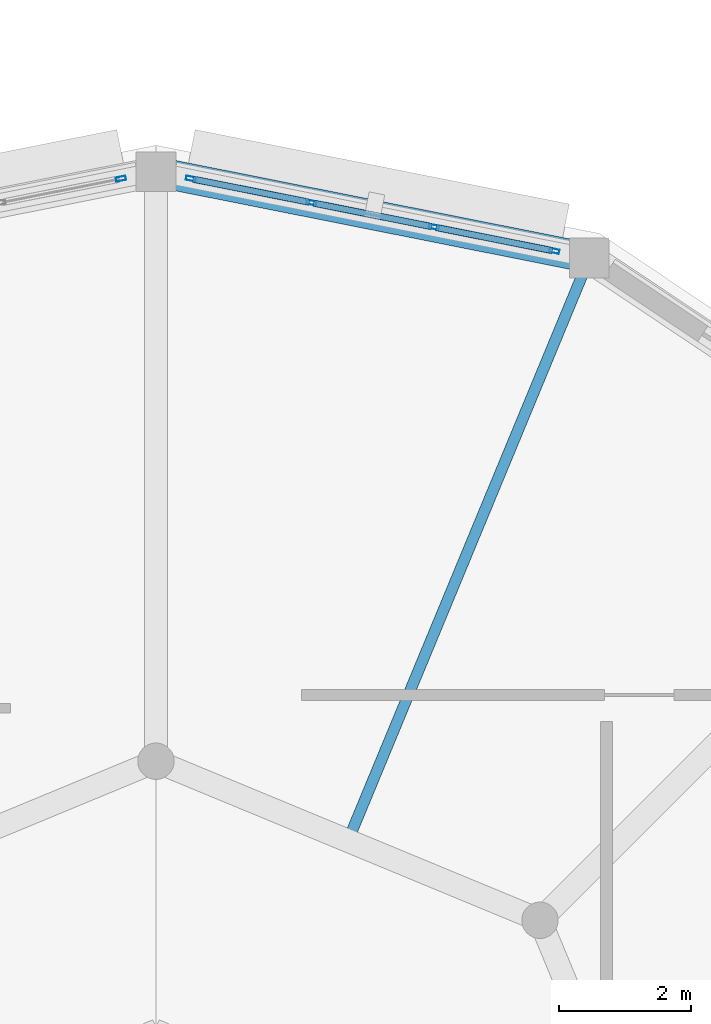
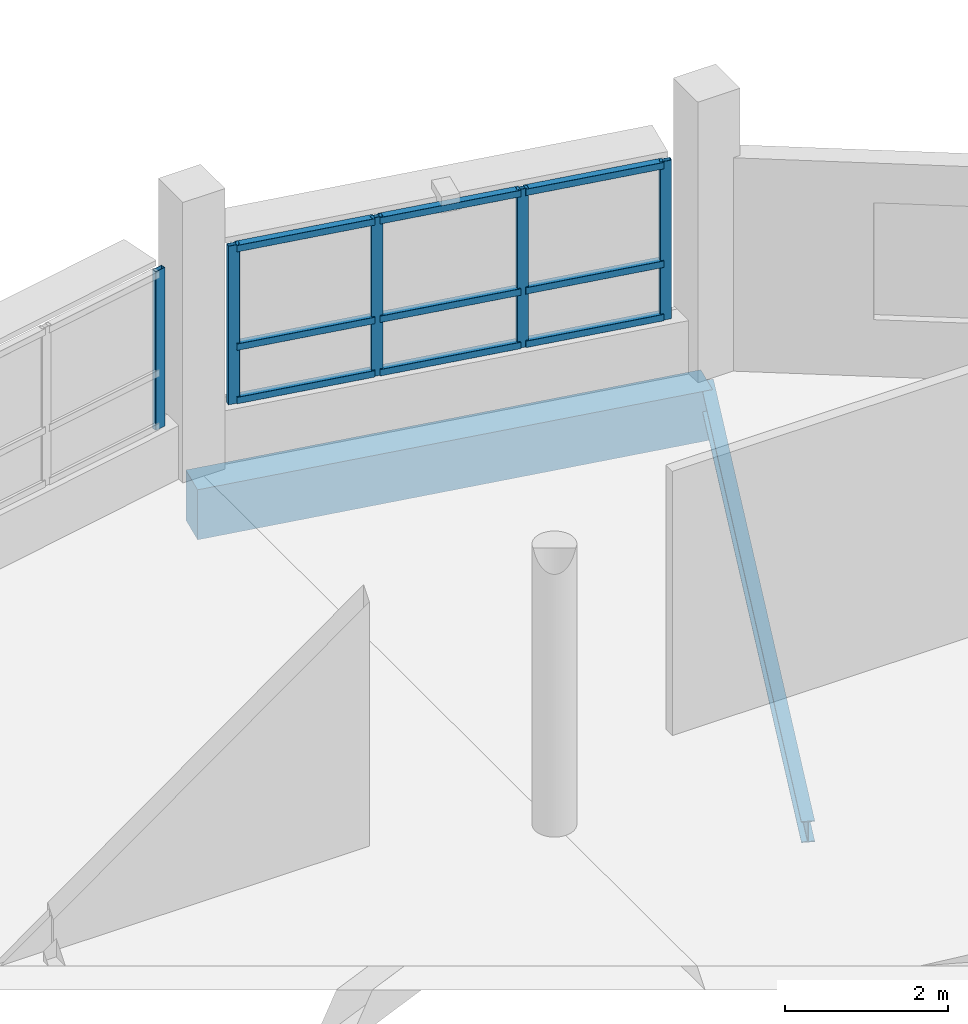
# One storey, part 89 of 128: 14 members, 2 beams, 2 elements without a shape of their own.
"""IFC4 building model written with IfcOpenShell, lengths in metres."""

from ifc_helpers import new_model, si_unit, direction, frame, origin, origin_2d, place, context, subcontext, project, spatial, rectangle, hollow_rectangle, i_section, extrude, material, layer, layer_set, material_profile, profile_set, type_object, element, aggregate, save


model = new_model("IFC4")

# Units and contexts
model_context = context("Model", 3, precision=1e-05, world=origin(), true_north=direction((0.0, 1.0)))
body_context = subcontext(model_context, "Body", "Model", "MODEL_VIEW")
ifc_project = project(units=[si_unit("LENGTHUNIT", "METRE"), si_unit("AREAUNIT", "SQUARE_METRE"), si_unit("VOLUMEUNIT", "CUBIC_METRE"), si_unit("PLANEANGLEUNIT", "RADIAN"), si_unit("MASSUNIT", "GRAM", prefix="KILO")], contexts=[model_context])

# Site, building, storey
site_placement = place(None, origin())
site = spatial("IfcSite", under=ifc_project, at=site_placement, CompositionType="ELEMENT")
building_placement = place(site_placement, origin())
building = spatial("IfcBuilding", under=site, at=building_placement, Name="Vespera Passage Community Centre", CompositionType="ELEMENT")
storey_placement = place(building_placement, frame((0.0, 0.0, 4.5)))
storey = spatial("IfcBuildingStorey", under=building, at=storey_placement, Name="L01", CompositionType="ELEMENT", Elevation=4.5)

# Beams
ifc_material_1 = material(Name="Steel ASTM A992 Grade 50", Category="steel")
ifc_material_profile_1 = material_profile(ifc_material_1, i_section(OverallWidth=0.16650390625, OverallDepth=0.3173828125, WebThickness=0.007568359375, FlangeThickness=0.01318359375, FilletRadius=0.007568359375, at=origin_2d()), Name="W12X35")
ifc_profile_set_1 = profile_set([ifc_material_profile_1], Name="Steel ASTM A992 Grade 50")
beam_type_1 = type_object("IfcBeamType", Name="BM-J-W12X35", PredefinedType="JOIST", material=ifc_profile_set_1)
beam_1_placement = place(storey_placement, frame((143.899169921875, 31.999267578125, -0.398681640625), z_axis=(0.382690630849, 0.923876550769, 0.0), x_axis=(-0.923876550769, 0.382690630849, 0.0)))
element("IfcBeam", 1, at=beam_1_placement, inside=storey, type_object=beam_type_1, Name="V3 L01 Secondary Joist 2", PredefinedType="JOIST", context=body_context, shape_type="SweptSolid", body=[
    extrude(i_section(OverallWidth=0.16650390625, OverallDepth=0.3173828125, WebThickness=0.007568359375, FlangeThickness=0.01318359375, FilletRadius=0.007568359375, at=origin_2d()), origin(), (0.0, 0.0, 1.0), 9.524169921875),
])
ifc_material_2 = material(Name="Concrete f'c 35 MPa", Category="concrete")
ifc_material_profile_2 = material_profile(ifc_material_2, rectangle(XDim=0.449951171875, YDim=0.75, at=origin_2d()), Name="RC450X750")
ifc_profile_set_2 = profile_set([ifc_material_profile_2], Name="Concrete f'c 35 MPa")
beam_type_2 = type_object("IfcBeamType", Name="BM-SP-450X750E", PredefinedType="SPANDREL", material=ifc_profile_set_2)
beam_2_placement = place(storey_placement, frame((147.5439453125, 40.79833984375, -0.614990234375), z_axis=(-0.980782809509, 0.195102743632, 0.0), x_axis=(-0.195102743632, -0.980782809509, 0.0)))
element("IfcBeam", 2, at=beam_2_placement, inside=storey, type_object=beam_type_2, Name="V3 L01 Spandrel 4", PredefinedType="SPANDREL", context=body_context, shape_type="SweptSolid", body=[
    extrude(rectangle(XDim=0.449951171875, YDim=0.75, at=origin_2d()), origin(), (0.0, 0.0, 1.0), 6.672119140625),
])

# Curtain wall, members
ifc_material_3 = material(Name="Anodized aluminium 6063-T6", Category="aluminium")
ifc_layer = layer(ifc_material_3, 0.159912109375)
ifc_layer_set = layer_set([ifc_layer], Name="Anodized aluminium 6063-T6")
curtain_wall_type = type_object("IfcCurtainWallType", Name="CW-105E", PredefinedType="NOTDEFINED", material=ifc_layer_set)
curtain_wall_1_placement = place(storey_placement, origin())
curtain_wall_1 = element("IfcCurtainWall", 3, at=curtain_wall_1_placement, inside=storey, type_object=curtain_wall_type, Name="Dining Drum Ribbon Curtain Wall L01.4", PredefinedType="NOTDEFINED")
ifc_material_4 = material(Name="Anodized aluminium 6063-T6", Category="aluminium")
ifc_material_profile_3 = material_profile(ifc_material_4, hollow_rectangle(XDim=0.06494140625, YDim=0.14990234375, WallThickness=0.00390625, InnerFilletRadius=0.001953125, OuterFilletRadius=0.00390625, at=origin_2d()), Name="ALU150X65X4")
ifc_profile_set_3 = profile_set([ifc_material_profile_3], Name="Anodized aluminium 6063-T6")
member_type_1 = type_object("IfcMemberType", Name="MB-CWM-150E", PredefinedType="MULLION", material=ifc_profile_set_3)
member_1_placement = place(storey_placement, frame((141.528076171875, 41.994873046875, 0.800048828125), z_axis=(0.0, 0.0, 1.0), x_axis=(0.195096778691, 0.980783996069, 0.0)))
member_1 = element("IfcMember", 4, at=member_1_placement, type_object=member_type_1, Name="CW-105E mullion 1", PredefinedType="MULLION", context=body_context, shape_type="SweptSolid", body=[
    extrude(hollow_rectangle(XDim=0.06494140625, YDim=0.14990234375, WallThickness=0.00390625, InnerFilletRadius=0.001953125, OuterFilletRadius=0.00390625, at=origin_2d()), origin(), (0.0, 0.0, 1.0), 2.375),
])
member_2_placement = place(storey_placement, frame((143.3466796875, 41.63330078125, 0.800048828125), z_axis=(0.0, 0.0, 1.0), x_axis=(0.195096778691, 0.980783996069, 0.0)))
member_2 = element("IfcMember", 5, at=member_2_placement, type_object=member_type_1, Name="CW-105E mullion 2", PredefinedType="MULLION", context=body_context, shape_type="SweptSolid", body=[
    extrude(hollow_rectangle(XDim=0.06494140625, YDim=0.14990234375, WallThickness=0.00390625, InnerFilletRadius=0.001953125, OuterFilletRadius=0.00390625, at=origin_2d()), origin(), (0.0, 0.0, 1.0), 2.375),
])
member_3_placement = place(storey_placement, frame((145.197265625, 41.26513671875, 0.800048828125), z_axis=(0.0, 0.0, 1.0), x_axis=(0.195096778691, 0.980783996069, 0.0)))
member_3 = element("IfcMember", 6, at=member_3_placement, type_object=member_type_1, Name="CW-105E mullion 3", PredefinedType="MULLION", context=body_context, shape_type="SweptSolid", body=[
    extrude(hollow_rectangle(XDim=0.06494140625, YDim=0.14990234375, WallThickness=0.00390625, InnerFilletRadius=0.001953125, OuterFilletRadius=0.00390625, at=origin_2d()), origin(), (0.0, 0.0, 1.0), 2.375),
])
member_4_placement = place(storey_placement, frame((147.015869140625, 40.9033203125, 0.800048828125), z_axis=(0.0, 0.0, 1.0), x_axis=(0.195096778691, 0.980783996069, 0.0)))
member_4 = element("IfcMember", 7, at=member_4_placement, type_object=member_type_1, Name="CW-105E mullion 4", PredefinedType="MULLION", context=body_context, shape_type="SweptSolid", body=[
    extrude(hollow_rectangle(XDim=0.06494140625, YDim=0.14990234375, WallThickness=0.00390625, InnerFilletRadius=0.001953125, OuterFilletRadius=0.00390625, at=origin_2d()), origin(), (0.0, 0.0, 1.0), 2.375),
])

# Curtain wall, member
curtain_wall_2_placement = place(storey_placement, origin())
curtain_wall_2 = element("IfcCurtainWall", 8, at=curtain_wall_2_placement, inside=storey, type_object=curtain_wall_type, Name="Dining Drum Ribbon Curtain Wall L01.5", PredefinedType="NOTDEFINED")
member_5_placement = place(storey_placement, frame((140.471923828125, 41.994873046875, 0.800048828125), z_axis=(0.0, 0.0, 1.0), x_axis=(-0.195096778691, 0.980783996069, 0.0)))
member_5 = element("IfcMember", 9, at=member_5_placement, type_object=member_type_1, Name="CW-105E mullion 4", PredefinedType="MULLION", context=body_context, shape_type="SweptSolid", body=[
    extrude(hollow_rectangle(XDim=0.06494140625, YDim=0.14990234375, WallThickness=0.00390625, InnerFilletRadius=0.001953125, OuterFilletRadius=0.00390625, at=origin_2d()), origin(), (0.0, 0.0, 1.0), 2.375),
])
aggregate(curtain_wall_2, [member_5])

# Member
ifc_material_5 = material(Name="Anodized aluminium 6063-T6", Category="aluminium")
ifc_material_profile_4 = material_profile(ifc_material_5, hollow_rectangle(XDim=0.10009765625, YDim=0.10009765625, WallThickness=0.00390625, InnerFilletRadius=0.001953125, OuterFilletRadius=0.00390625, at=origin_2d()), Name="ALU100X100X4")
ifc_profile_set_4 = profile_set([ifc_material_profile_4], Name="Anodized aluminium 6063-T6")
member_type_2 = type_object("IfcMemberType", Name="MB-CWT-100E", PredefinedType="USERDEFINED", material=ifc_profile_set_4)
member_6_placement = place(storey_placement, frame((141.56005859375, 41.988525390625, 0.85009765625), z_axis=(0.980805694528, -0.194987665203, 0.0), x_axis=(0.194987665203, 0.980805694528, 0.0)))
member_6 = element("IfcMember", 10, at=member_6_placement, type_object=member_type_2, Name="CW-105E transom 1.1", ObjectType="TRANSOM", PredefinedType="USERDEFINED", context=body_context, shape_type="SweptSolid", body=[
    extrude(hollow_rectangle(XDim=0.10009765625, YDim=0.10009765625, WallThickness=0.00390625, InnerFilletRadius=0.001953125, OuterFilletRadius=0.00390625, at=origin_2d()), origin(), (0.0, 0.0, 1.0), 1.789306640625),
])

member_7_placement = place(storey_placement, frame((141.56005859375, 41.988525390625, 1.64990234375), z_axis=(0.980805694528, -0.194987665203, 0.0), x_axis=(0.194987665203, 0.980805694528, 0.0)))
member_7 = element("IfcMember", 11, at=member_7_placement, type_object=member_type_2, Name="CW-105E transom 1.2", ObjectType="TRANSOM", PredefinedType="USERDEFINED", context=body_context, shape_type="SweptSolid", body=[
    extrude(hollow_rectangle(XDim=0.10009765625, YDim=0.10009765625, WallThickness=0.00390625, InnerFilletRadius=0.001953125, OuterFilletRadius=0.00390625, at=origin_2d()), origin(), (0.0, 0.0, 1.0), 1.789306640625),
])

member_8_placement = place(storey_placement, frame((141.56005859375, 41.988525390625, 3.125), z_axis=(0.980805694528, -0.194987665203, 0.0), x_axis=(0.194987665203, 0.980805694528, 0.0)))
member_8 = element("IfcMember", 12, at=member_8_placement, type_object=member_type_2, Name="CW-105E transom 1.3", ObjectType="TRANSOM", PredefinedType="USERDEFINED", context=body_context, shape_type="SweptSolid", body=[
    extrude(hollow_rectangle(XDim=0.10009765625, YDim=0.10009765625, WallThickness=0.00390625, InnerFilletRadius=0.001953125, OuterFilletRadius=0.00390625, at=origin_2d()), origin(), (0.0, 0.0, 1.0), 1.789306640625),
])

member_9_placement = place(storey_placement, frame((143.378662109375, 41.626953125, 0.85009765625), z_axis=(0.980776065507, -0.195136642714, 0.0), x_axis=(0.195136642714, 0.980776065507, 0.0)))
member_9 = element("IfcMember", 13, at=member_9_placement, type_object=member_type_2, Name="CW-105E transom 2.1", ObjectType="TRANSOM", PredefinedType="USERDEFINED", context=body_context, shape_type="SweptSolid", body=[
    extrude(hollow_rectangle(XDim=0.10009765625, YDim=0.10009765625, WallThickness=0.00390625, InnerFilletRadius=0.001953125, OuterFilletRadius=0.00390625, at=origin_2d()), origin(), (0.0, 0.0, 1.0), 1.821533203125),
])

member_10_placement = place(storey_placement, frame((143.378662109375, 41.626953125, 1.64990234375), z_axis=(0.980776065507, -0.195136642714, 0.0), x_axis=(0.195136642714, 0.980776065507, 0.0)))
member_10 = element("IfcMember", 14, at=member_10_placement, type_object=member_type_2, Name="CW-105E transom 2.2", ObjectType="TRANSOM", PredefinedType="USERDEFINED", context=body_context, shape_type="SweptSolid", body=[
    extrude(hollow_rectangle(XDim=0.10009765625, YDim=0.10009765625, WallThickness=0.00390625, InnerFilletRadius=0.001953125, OuterFilletRadius=0.00390625, at=origin_2d()), origin(), (0.0, 0.0, 1.0), 1.821533203125),
])

member_11_placement = place(storey_placement, frame((143.378662109375, 41.626953125, 3.125), z_axis=(0.980776065507, -0.195136642714, 0.0), x_axis=(0.195136642714, 0.980776065507, 0.0)))
member_11 = element("IfcMember", 15, at=member_11_placement, type_object=member_type_2, Name="CW-105E transom 2.3", ObjectType="TRANSOM", PredefinedType="USERDEFINED", context=body_context, shape_type="SweptSolid", body=[
    extrude(hollow_rectangle(XDim=0.10009765625, YDim=0.10009765625, WallThickness=0.00390625, InnerFilletRadius=0.001953125, OuterFilletRadius=0.00390625, at=origin_2d()), origin(), (0.0, 0.0, 1.0), 1.821533203125),
])

member_12_placement = place(storey_placement, frame((145.22900390625, 41.2587890625, 0.85009765625), z_axis=(0.980779590975, -0.195118922523, 0.0), x_axis=(0.195118922523, 0.980779590975, 0.0)))
member_12 = element("IfcMember", 16, at=member_12_placement, type_object=member_type_2, Name="CW-105E transom 3.1", ObjectType="TRANSOM", PredefinedType="USERDEFINED", context=body_context, shape_type="SweptSolid", body=[
    extrude(hollow_rectangle(XDim=0.10009765625, YDim=0.10009765625, WallThickness=0.00390625, InnerFilletRadius=0.001953125, OuterFilletRadius=0.00390625, at=origin_2d()), origin(), (0.0, 0.0, 1.0), 1.789306640625),
])

member_13_placement = place(storey_placement, frame((145.22900390625, 41.2587890625, 1.64990234375), z_axis=(0.980779590975, -0.195118922523, 0.0), x_axis=(0.195118922523, 0.980779590975, 0.0)))
member_13 = element("IfcMember", 17, at=member_13_placement, type_object=member_type_2, Name="CW-105E transom 3.2", ObjectType="TRANSOM", PredefinedType="USERDEFINED", context=body_context, shape_type="SweptSolid", body=[
    extrude(hollow_rectangle(XDim=0.10009765625, YDim=0.10009765625, WallThickness=0.00390625, InnerFilletRadius=0.001953125, OuterFilletRadius=0.00390625, at=origin_2d()), origin(), (0.0, 0.0, 1.0), 1.789306640625),
])

member_14_placement = place(storey_placement, frame((145.22900390625, 41.2587890625, 3.125), z_axis=(0.980779590975, -0.195118922523, 0.0), x_axis=(0.195118922523, 0.980779590975, 0.0)))
member_14 = element("IfcMember", 18, at=member_14_placement, type_object=member_type_2, Name="CW-105E transom 3.3", ObjectType="TRANSOM", PredefinedType="USERDEFINED", context=body_context, shape_type="SweptSolid", body=[
    extrude(hollow_rectangle(XDim=0.10009765625, YDim=0.10009765625, WallThickness=0.00390625, InnerFilletRadius=0.001953125, OuterFilletRadius=0.00390625, at=origin_2d()), origin(), (0.0, 0.0, 1.0), 1.789306640625),
])

aggregate(curtain_wall_1, [member_1, member_2, member_3, member_4, member_6, member_7, member_8, member_9, member_10, member_11, member_12, member_13, member_14])

save(model, "model.ifc")
